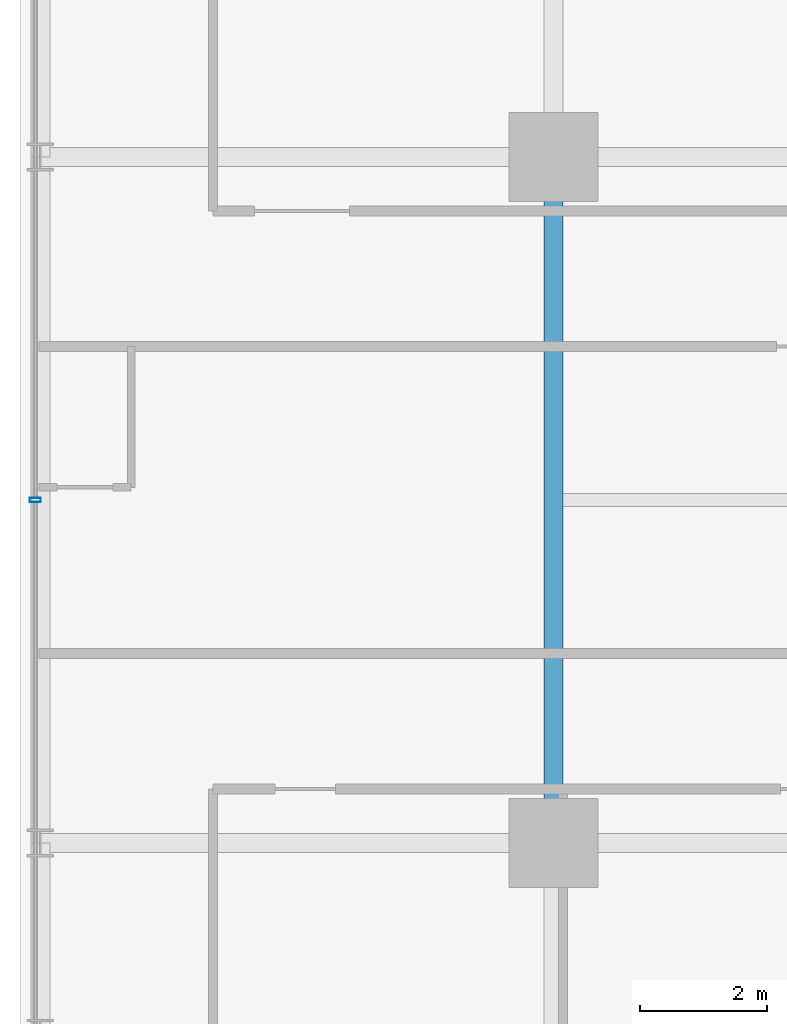
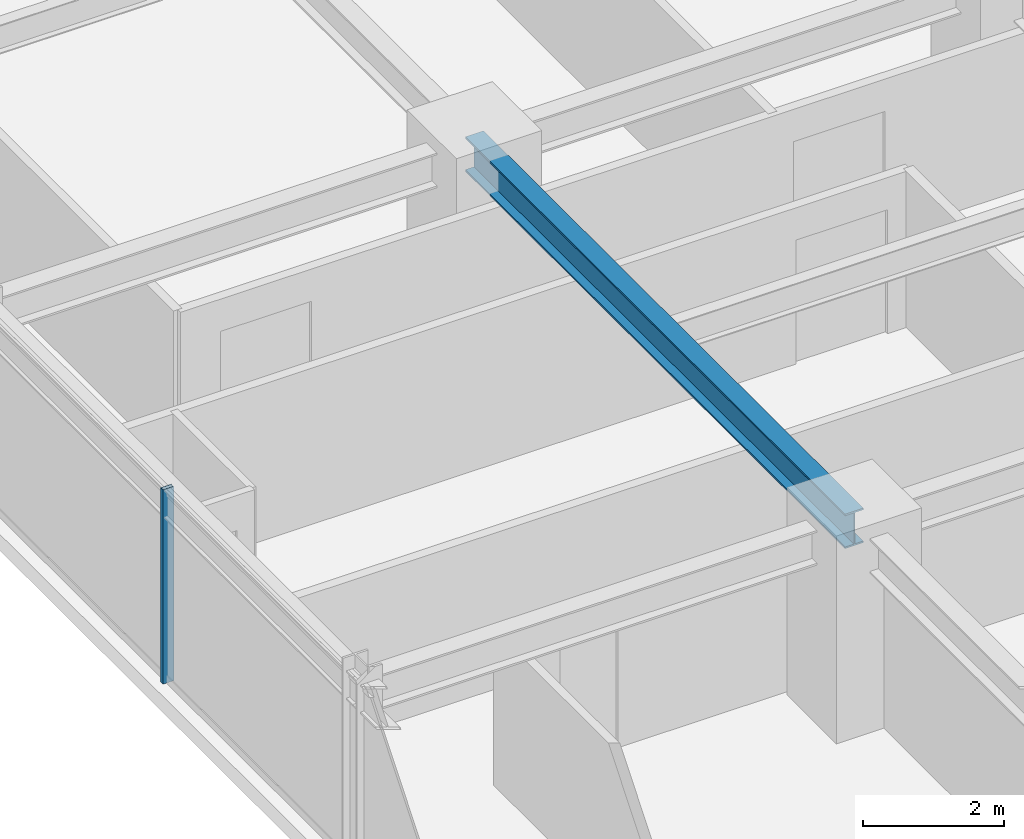
# One storey, part 9 of 36: 1 beam, 1 member, 1 element without a shape of its own.
"""IFC4 building model written with IfcOpenShell, lengths in metres."""

from ifc_helpers import new_model, si_unit, direction, frame, origin, origin_2d, place, context, subcontext, project, spatial, hollow_rectangle, i_section, extrude, source, transform, mapped, material, material_profile, profile_set, type_object, element, aggregate, save


model = new_model("IFC4")

# Units and contexts
model_context = context("Model", 3, precision=1e-05, world=origin(), true_north=direction((0.0, 1.0)))
body_context = subcontext(model_context, "Body", "Model", "MODEL_VIEW")
ifc_project = project(units=[si_unit("LENGTHUNIT", "METRE"), si_unit("AREAUNIT", "SQUARE_METRE"), si_unit("VOLUMEUNIT", "CUBIC_METRE"), si_unit("PLANEANGLEUNIT", "RADIAN"), si_unit("MASSUNIT", "GRAM", prefix="KILO")], contexts=[model_context])

# Site, building, storey
site_placement = place(None, origin())
site = spatial("IfcSite", under=ifc_project, at=site_placement, CompositionType="ELEMENT")
building_placement = place(site_placement, origin())
building = spatial("IfcBuilding", under=site, at=building_placement, Name="Nahalor Promenade Grand Hotel", CompositionType="ELEMENT")
storey_placement = place(building_placement, frame((0.0, 0.0, 72.550048828125)))
storey = spatial("IfcBuildingStorey", under=building, at=storey_placement, Name="L17", CompositionType="ELEMENT", Elevation=72.550048828125)

# Beam
ifc_material_1 = material(Name="Steel S355JR", Category="steel")
ifc_material_profile_1 = material_profile(ifc_material_1, i_section(OverallWidth=0.3, OverallDepth=0.6, WebThickness=0.0155, FlangeThickness=0.03, at=origin_2d()), Name="HEB 600")
ifc_profile_set_1 = profile_set([ifc_material_profile_1], Name="Steel S355JR")
beam_type = type_object("IfcBeamType", Name="Beam-Girder-HEB600", PredefinedType="BEAM", material=ifc_profile_set_1)
shared_shape_1 = source(origin(), body_context, "Body", "SweptSolid", [
    extrude(i_section(OverallWidth=0.3, OverallDepth=0.6, WebThickness=0.0155, FlangeThickness=0.03, at=origin_2d()), origin(), (0.0, 0.0, 1.0), 10.7998046875),
])
beam_placement = place(storey_placement, frame((-17.0, -5.39990234375, 3.070068359375), z_axis=(0.0, 1.0, 0.0), x_axis=(-1.0, 0.0, 0.0)))
element("IfcBeam", 1, at=beam_placement, inside=storey, type_object=beam_type, Name="BM-L17-GY-0-2", PredefinedType="BEAM", context=body_context, shape_type="MappedRepresentation", body=[
    mapped(shared_shape_1, transform((0.0, 0.0, 0.0), scale=1.0)),
])

# Curtain wall, member
ifc_material_2 = material(Name="Anodised Bronze Aluminium EN AW-6063 T6", Category="aluminium")
curtain_wall_type = type_object("IfcCurtainWallType", Name="CW2 Typical Hotel Flush Bronze Unitised Curtain Wall", PredefinedType="USERDEFINED", material=ifc_material_2)
curtain_wall_placement = place(storey_placement, origin())
curtain_wall = element("IfcCurtainWall", 2, at=curtain_wall_placement, inside=storey, type_object=curtain_wall_type, Name="L17 Curtain Wall CW-L17-W-1", ObjectType="UNITISED_CURTAIN_WALL", PredefinedType="USERDEFINED")
ifc_material_profile_2 = material_profile(ifc_material_2, hollow_rectangle(XDim=0.065, YDim=0.18, WallThickness=0.004, at=origin_2d()), Name="CWM 65x180x4")
ifc_profile_set_2 = profile_set([ifc_material_profile_2], Name="Anodised Bronze Aluminium EN AW-6063 T6")
member_type = type_object("IfcMemberType", Name="CWM2 Typical Bronze Mullion 65x180", PredefinedType="MULLION", material=ifc_profile_set_2)
shared_shape_2 = source(origin(), body_context, "Body", "SweptSolid", [
    extrude(hollow_rectangle(XDim=0.065, YDim=0.18, WallThickness=0.004, at=origin_2d()), origin(), (0.0, 0.0, 1.0), 3.369873046875),
])
member_placement = place(storey_placement, frame((-25.159912109375, 0.0, 0.0), z_axis=(0.0, 0.0, 1.0), x_axis=(0.0, 1.0, 0.0)))
member = element("IfcMember", 3, at=member_placement, type_object=member_type, Name="CW-L17-W-1 Mullion 2", PredefinedType="MULLION", context=body_context, shape_type="MappedRepresentation", body=[
    mapped(shared_shape_2, transform((0.0, 0.0, 0.0), scale=1.0)),
])
aggregate(curtain_wall, [member])

save(model, "model.ifc")
